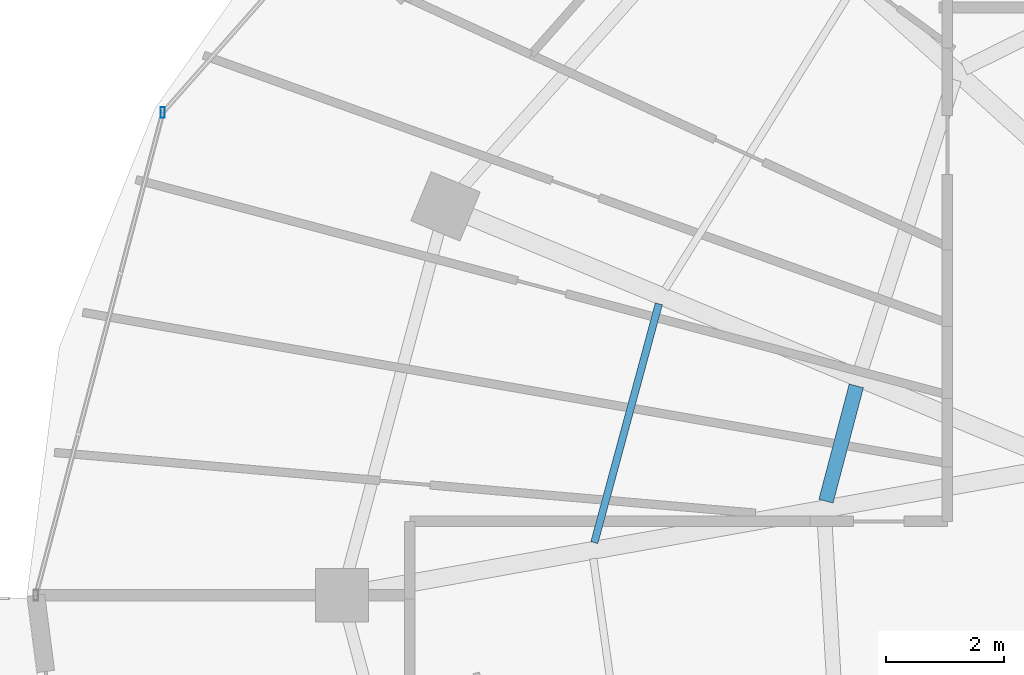
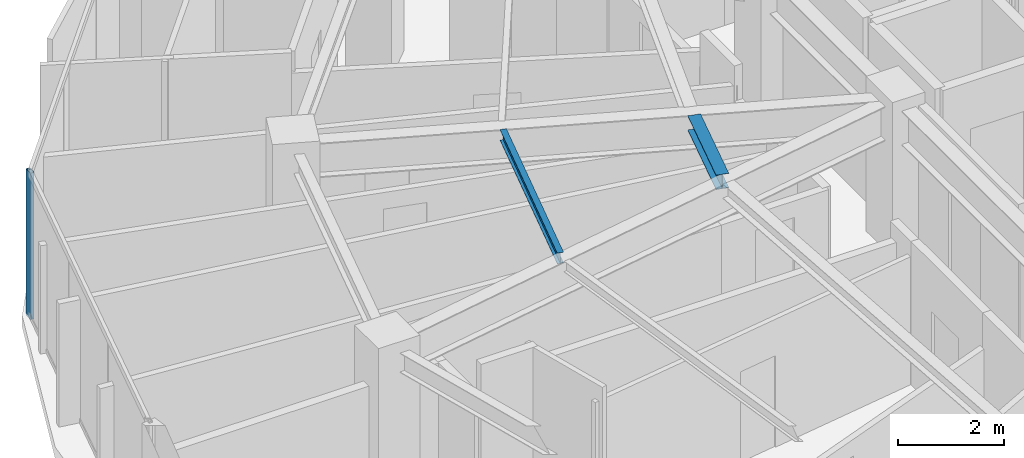
# One storey, part 9 of 32: 2 beams, 1 member, 1 element without a shape of its own.
"""IFC4 building model written with IfcOpenShell, lengths in metres."""

from ifc_helpers import new_model, si_unit, direction, frame, origin, origin_2d, place, context, subcontext, project, spatial, hollow_rectangle, i_section, extrude, material, material_profile, profile_set, type_object, element, aggregate, save


model = new_model("IFC4")

# Units and contexts
model_context = context("Model", 3, precision=1e-05, world=origin(), true_north=direction((0.0, 1.0)))
body_context = subcontext(model_context, "Body", "Model", "MODEL_VIEW")
ifc_project = project(units=[si_unit("LENGTHUNIT", "METRE"), si_unit("AREAUNIT", "SQUARE_METRE"), si_unit("VOLUMEUNIT", "CUBIC_METRE"), si_unit("PLANEANGLEUNIT", "RADIAN"), si_unit("MASSUNIT", "GRAM", prefix="KILO")], contexts=[model_context])

# Site, building, storey
site_placement = place(None, origin())
site = spatial("IfcSite", under=ifc_project, at=site_placement, CompositionType="ELEMENT")
building_placement = place(site_placement, origin())
building = spatial("IfcBuilding", under=site, at=building_placement, Name="Vorneva Point Tower", CompositionType="ELEMENT")
storey_placement = place(building_placement, frame((0.0, 0.0, 207.199951171875)))
storey = spatial("IfcBuildingStorey", under=building, at=storey_placement, Name="L56", CompositionType="ELEMENT", Elevation=207.199951171875)

# Beams
ifc_material_1 = material(Name="Steel S355", Category="steel")
ifc_material_profile_1 = material_profile(ifc_material_1, i_section(OverallWidth=0.1240234375, OverallDepth=0.248046875, WebThickness=0.0048828125, FlangeThickness=0.008056640625, at=origin_2d()), Name="25B1")
ifc_profile_set_1 = profile_set([ifc_material_profile_1], Name="Steel S355")
beam_type_1 = type_object("IfcBeamType", Name="BM-JST-25B1", PredefinedType="JOIST", material=ifc_profile_set_1)
beam_1_placement = place(storey_placement, frame((20.31591796875, 30.933349609375, 3.166015625), z_axis=(-0.260916367876, -0.965361408476, 0.0), x_axis=(0.965361408476, -0.260916367876, 0.0)))
element("IfcBeam", 1, at=beam_1_placement, inside=storey, type_object=beam_type_1, Name="L56 Secondary Floor Beam 1.08", PredefinedType="JOIST", context=body_context, shape_type="SweptSolid", body=[
    extrude(i_section(OverallWidth=0.1240234375, OverallDepth=0.248046875, WebThickness=0.0048828125, FlangeThickness=0.008056640625, at=origin_2d()), origin(), (0.0, 0.0, 1.0), 4.187255859375),
])
ifc_material_profile_2 = material_profile(ifc_material_1, i_section(OverallWidth=0.2490234375, OverallDepth=0.333984375, WebThickness=0.008056640625, FlangeThickness=0.010986328125, at=origin_2d()), Name="35Sh1")
ifc_profile_set_2 = profile_set([ifc_material_profile_2], Name="Steel S355")
beam_type_2 = type_object("IfcBeamType", Name="BM-SEC-35Sh1", PredefinedType="BEAM", material=ifc_profile_set_2)
beam_2_placement = place(storey_placement, frame((23.657958984375, 29.544677734375, 3.123046875), z_axis=(-0.254499253251, -0.967072970409, 0.0), x_axis=(0.967072970409, -0.254499253251, 0.0)))
element("IfcBeam", 2, at=beam_2_placement, inside=storey, type_object=beam_type_2, Name="L56 Secondary Floor Beam 2.08", PredefinedType="BEAM", context=body_context, shape_type="SweptSolid", body=[
    extrude(i_section(OverallWidth=0.2490234375, OverallDepth=0.333984375, WebThickness=0.008056640625, FlangeThickness=0.010986328125, at=origin_2d()), origin(), (0.0, 0.0, 1.0), 2.018310546875),
])

# Curtain wall, member
ifc_material_2 = material(Name="Pale anodised aluminium", Category="aluminium")
curtain_wall_type = type_object("IfcCurtainWallType", Name="CW-RES-SYS", PredefinedType="NOTDEFINED", material=ifc_material_2)
curtain_wall_placement = place(storey_placement, origin())
curtain_wall = element("IfcCurtainWall", 3, at=curtain_wall_placement, inside=storey, type_object=curtain_wall_type, Name="L56 Unitised Curtain Wall CW-L56-R02", PredefinedType="NOTDEFINED")
ifc_material_profile_3 = material_profile(ifc_material_2, hollow_rectangle(XDim=0.074951171875, YDim=0.179931640625, WallThickness=0.00390625, at=origin_2d()), Name="AL-MUL 180x75x4")
ifc_profile_set_3 = profile_set([ifc_material_profile_3], Name="Pale anodised aluminium")
member_type = type_object("IfcMemberType", Name="CW-MUL-180", PredefinedType="MULLION", material=ifc_profile_set_3)
member_placement = place(storey_placement, frame((11.9189453125, 34.17041015625, -0.0400390625), z_axis=(0.0, 0.0, 1.0), x_axis=(1.0, 0.0, 0.0)))
member = element("IfcMember", 4, at=member_placement, type_object=member_type, Name="CW-L56-R02 Mullion 02", PredefinedType="MULLION", context=body_context, shape_type="SweptSolid", body=[
    extrude(hollow_rectangle(XDim=0.074951171875, YDim=0.179931640625, WallThickness=0.00390625, at=origin_2d()), origin(), (0.0, 0.0, 1.0), 3.360107421875),
])
aggregate(curtain_wall, [member])

save(model, "model.ifc")
